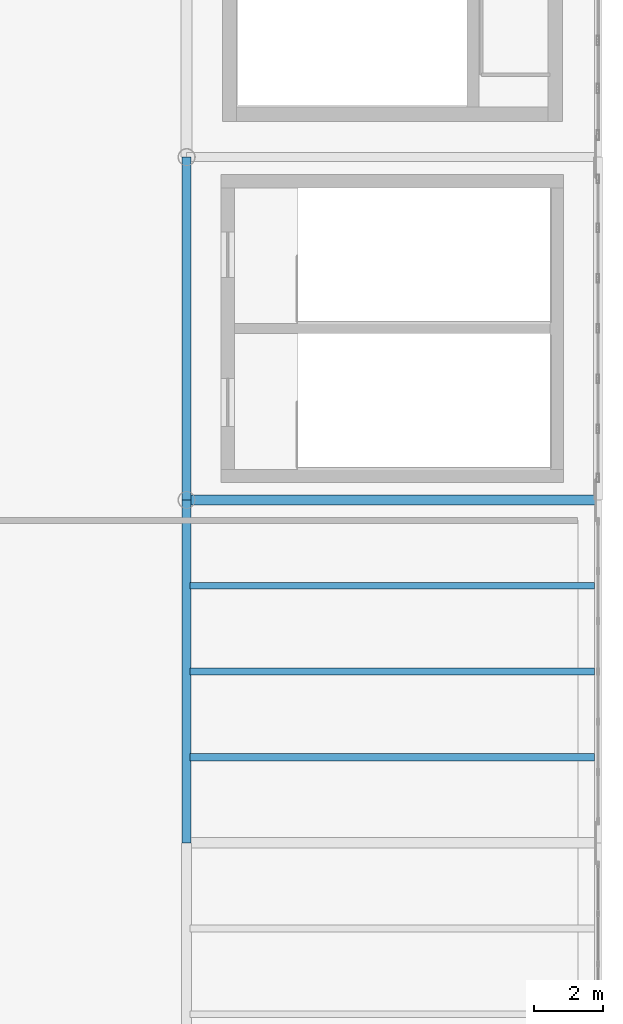
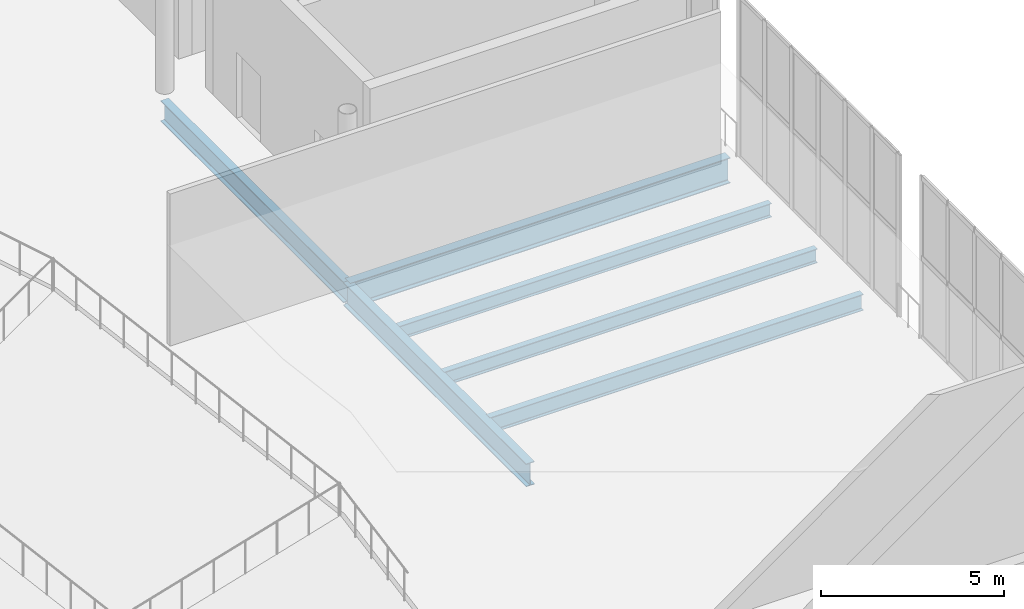
# One storey, part 35 of 74: 6 beams.
"""IFC4 building model written with IfcOpenShell, lengths in metres."""

import ifcopenshell
import ifcopenshell.guid

model = None  # the IFC model being written
_history = None  # IfcOwnerHistory: only IFC2X3 demands one
_inside = {}  # id of a spatial element -> (the spatial element, [elements in it])
_under = {}  # id of a project, library or spatial element -> (it, [spatial elements below it])
_declared = {}  # id of a project -> (the project, [libraries it declares])
_typed = {}  # id of a type object -> (the type object, [elements of that type])
_made_of = {}  # id of a material, layer set ... -> (it, [elements and type objects made of it])


def new_model(schema):
    """Start an empty IFC model of exactly this schema.

    Asked for "IFC4X3", IfcOpenShell would pick the latest addendum, in which some entities
    have other attributes; the version numbers below select the first issue.
    IFC2X3 requires an IfcOwnerHistory on every rooted entity: one is made here for all.
    """
    global model, _history
    if schema == "IFC4X3":
        model = ifcopenshell.file(schema_version=(4, 3, 0, 0))
    else:
        model = ifcopenshell.file(schema=schema)
    _inside.clear()
    _under.clear()
    _declared.clear()
    _typed.clear()
    _made_of.clear()
    _history = None
    if model.schema == "IFC2X3":
        org = make("IfcOrganization", Name="unknown")
        user = make(
            "IfcPersonAndOrganization",
            ThePerson=make("IfcPerson", FamilyName="unknown"),
            TheOrganization=org,
        )
        app = make(
            "IfcApplication",
            ApplicationDeveloper=org,
            Version="unknown",
            ApplicationFullName="unknown",
            ApplicationIdentifier="unknown",
        )
        _history = make(
            "IfcOwnerHistory",
            OwningUser=user,
            OwningApplication=app,
            ChangeAction="ADDED",
            CreationDate=0,
        )
    return model


def make(cls, **values):
    """One entity of the class cls with the attributes given. An attribute that is None is left unset."""
    return model.create_entity(
        cls, **{name: value for name, value in values.items() if value is not None}
    )


def rooted(cls, **values):
    """An entity with a GlobalId (a new one), such as an element, a storey or a relation."""
    return make(cls, GlobalId=ifcopenshell.guid.new(), OwnerHistory=_history, **values)


def si_unit(unit_type, name, prefix=None):
    """IfcSIUnit, for example si_unit("LENGTHUNIT", "METRE", prefix="MILLI")."""
    return make("IfcSIUnit", UnitType=unit_type, Prefix=prefix, Name=name)


def assignment(units):
    """IfcUnitAssignment: the units of a project."""
    return None if units is None else make("IfcUnitAssignment", Units=units)


def point(xyz):
    """IfcCartesianPoint."""
    return None if xyz is None else make("IfcCartesianPoint", Coordinates=xyz)


def direction(xyz):
    """IfcDirection."""
    return None if xyz is None else make("IfcDirection", DirectionRatios=xyz)


def frame(location, z_axis=None, x_axis=None):
    """IfcAxis2Placement3D, a coordinate frame: its origin and axes. An axis left out is left unset."""
    return make(
        "IfcAxis2Placement3D",
        Location=point(location),
        Axis=direction(z_axis),
        RefDirection=direction(x_axis),
    )


def frame_2d(location, x_axis=None):
    """IfcAxis2Placement2D, a coordinate frame in the plane: its origin and x axis."""
    return make(
        "IfcAxis2Placement2D", Location=point(location), RefDirection=direction(x_axis)
    )


def origin():
    """The frame at (0, 0, 0) with its axes left unset."""
    return frame((0.0, 0.0, 0.0))


def origin_2d():
    """The frame at (0, 0) in the plane with its x axis left unset."""
    return frame_2d((0.0, 0.0))


def place(relative_to, where):
    """IfcLocalPlacement: puts the frame where relative to a parent placement (None: the world)."""
    return make(
        "IfcLocalPlacement", PlacementRelTo=relative_to, RelativePlacement=where
    )


def context(
    kind, dimensions, precision=None, world=None, true_north=None, identifier=None
):
    """IfcGeometricRepresentationContext, for example the 3D "Model" context."""
    return make(
        "IfcGeometricRepresentationContext",
        ContextIdentifier=identifier,
        ContextType=kind,
        CoordinateSpaceDimension=dimensions,
        Precision=precision,
        WorldCoordinateSystem=world,
        TrueNorth=true_north,
    )


def subcontext(parent, identifier, kind, view, scale=None):
    """IfcGeometricRepresentationSubContext, for example "Body" below "Model"."""
    return make(
        "IfcGeometricRepresentationSubContext",
        ContextIdentifier=identifier,
        ContextType=kind,
        ParentContext=parent,
        TargetScale=scale,
        TargetView=view,
    )


def project(units=None, contexts=None):
    """IfcProject with its units and contexts."""
    return rooted(
        "IfcProject",
        Name="project",
        RepresentationContexts=contexts,
        UnitsInContext=assignment(units),
    )


def spatial(cls, under=None, at=None, **own):
    """A site, building, storey or space (cls), placed at a placement, below another one or the project."""
    s = rooted(cls, ObjectPlacement=at, **own)
    if under is not None:
        _under.setdefault(under.id(), (under, []))[1].append(s)
    return s


def profile(cls, at=None, kind="AREA", **sizes):
    """A parametric profile (cls). Its sizes go by their IFC names, for example OverallWidth=200.0."""
    return make(cls, ProfileType=kind, Position=at, **sizes)


def i_section(**sizes):
    """IfcIShapeProfileDef."""
    return profile("IfcIShapeProfileDef", **sizes)


def extrude(swept, where, along, depth):
    """IfcExtrudedAreaSolid: the profile swept, set in the frame where, extruded along a direction by depth."""
    return make(
        "IfcExtrudedAreaSolid",
        SweptArea=swept,
        Position=where,
        ExtrudedDirection=direction(along),
        Depth=depth,
    )


def shape(context_of_items, identifier, shape_type, items):
    """IfcShapeRepresentation: the items that make up one representation, for example the "Body"."""
    return make(
        "IfcShapeRepresentation",
        ContextOfItems=context_of_items,
        RepresentationIdentifier=identifier,
        RepresentationType=shape_type,
        Items=items,
    )


def material(Name=None, Category=None):
    """IfcMaterial."""
    return make("IfcMaterial", Name=Name, Category=Category)


def material_profile(
    of_material, cross_section, Name=None, Category=None, Priority=None
):
    """IfcMaterialProfile: a cross section and its material."""
    return make(
        "IfcMaterialProfile",
        Name=Name,
        Material=of_material,
        Profile=cross_section,
        Priority=Priority,
        Category=Category,
    )


def profile_set(profiles, Name=None, composite=None):
    """IfcMaterialProfileSet."""
    return make(
        "IfcMaterialProfileSet",
        Name=Name,
        MaterialProfiles=profiles,
        CompositeProfile=composite,
    )


def made_of(thing, what):
    """Note that an element or type object is made of a material, layer set ...; save() writes the relation."""
    if what is not None:
        _made_of.setdefault(what.id(), (what, []))[1].append(thing)
    return thing


def type_object(cls, material=None, **own):
    """A type object (cls), such as IfcWallType, which elements share."""
    return made_of(rooted(cls, **own), material)


def element(
    cls,
    number,
    at=None,
    inside=None,
    cuts=None,
    type_object=None,
    material=None,
    context=None,
    identifier="Body",
    shape_type=None,
    held_by="IfcProductDefinitionShape",
    body=None,
    shapes=None,
    **own,
):
    """One element of the class cls, such as IfcWall. Its Tag is "e" and its number.

    at: its placement. inside: the storey or other place that contains it. cuts: it is an
    opening in that element (IfcRelVoidsElement). A single representation is given by context,
    identifier, shape_type and body (its items); several are given by shapes. held_by: the class
    of the entity that holds the representations. save() writes the other relations.
    """
    e = rooted(cls, Tag="e%d" % number, ObjectPlacement=at, **own)
    if body is not None:
        shapes = [shape(context, identifier, shape_type, body)]
    if shapes is not None:
        e.Representation = make(held_by, Representations=shapes)
    if inside is not None:
        _inside.setdefault(inside.id(), (inside, []))[1].append(e)
    if cuts is not None:
        rooted(
            "IfcRelVoidsElement", RelatingBuildingElement=cuts, RelatedOpeningElement=e
        )
    if type_object is not None:
        _typed.setdefault(type_object.id(), (type_object, []))[1].append(e)
    return made_of(e, material)


def aggregate(whole, parts):
    """IfcRelAggregates: a whole, such as a stair, and the parts it consists of."""
    return rooted("IfcRelAggregates", RelatingObject=whole, RelatedObjects=parts)


def save(model, path):
    """Write the relations noted so far, then the file.

    IfcRelAggregates (storeys below a building ...), IfcRelContainedInSpatialStructure (elements
    in a storey), IfcRelDefinesByType, IfcRelAssociatesMaterial and IfcRelDeclares: one each for
    every whole, place, type object, material and project.
    """
    for whole, parts in _under.values():
        aggregate(whole, parts)
    for where, things in _inside.values():
        rooted(
            "IfcRelContainedInSpatialStructure",
            RelatedElements=things,
            RelatingStructure=where,
        )
    for kind, things in _typed.values():
        rooted("IfcRelDefinesByType", RelatedObjects=things, RelatingType=kind)
    for what, things in _made_of.values():
        rooted("IfcRelAssociatesMaterial", RelatedObjects=things, RelatingMaterial=what)
    for by, libraries in _declared.values():
        rooted("IfcRelDeclares", RelatingContext=by, RelatedDefinitions=libraries)
    model.write(path)


model = new_model("IFC4")

# Units and contexts
model_context = context("Model", 3, precision=1e-05, world=origin(), true_north=direction((0.0, 1.0)))
body_context = subcontext(model_context, "Body", "Model", "MODEL_VIEW")
ifc_project = project(units=[si_unit("LENGTHUNIT", "METRE"), si_unit("AREAUNIT", "SQUARE_METRE"), si_unit("VOLUMEUNIT", "CUBIC_METRE"), si_unit("PLANEANGLEUNIT", "RADIAN"), si_unit("MASSUNIT", "GRAM", prefix="KILO")], contexts=[model_context])

# Site, building, storey
site_placement = place(None, origin())
site = spatial("IfcSite", under=ifc_project, at=site_placement, CompositionType="ELEMENT")
building_placement = place(site_placement, origin())
building = spatial("IfcBuilding", under=site, at=building_placement, Name="Brinegate Civic Arena", CompositionType="ELEMENT")
storey_placement = place(building_placement, frame((0.0, 0.0, 19.199951171875)))
storey = spatial("IfcBuildingStorey", under=building, at=storey_placement, Name="L04", CompositionType="ELEMENT", Elevation=19.199951171875)

# Beams
ifc_material = material(Name="Steel S355", Category="steel")
ifc_material_profile_1 = material_profile(ifc_material, i_section(OverallWidth=0.256103515625, OverallDepth=0.693115234375, WebThickness=0.014892578125, FlangeThickness=0.02392578125, FilletRadius=0.01806640625, at=origin_2d()), Name="W690X170")
ifc_profile_set_1 = profile_set([ifc_material_profile_1], Name="Steel S355")
beam_type_1 = type_object("IfcBeamType", Name="GIRDER-W690X170", PredefinedType="BEAM", material=ifc_profile_set_1)
beam_1_placement = place(storey_placement, frame((156.0, 72.0, -0.68603515625), z_axis=(0.0, 1.0, 0.0), x_axis=(-1.0, 0.0, 0.0)))
element("IfcBeam", 1, at=beam_1_placement, inside=storey, type_object=beam_type_1, Name="Floor Girder BM-L04-GY-13-07", PredefinedType="BEAM", context=body_context, shape_type="SweptSolid", body=[
    extrude(i_section(OverallWidth=0.256103515625, OverallDepth=0.693115234375, WebThickness=0.014892578125, FlangeThickness=0.02392578125, FilletRadius=0.01806640625, at=origin_2d()), origin(), (0.0, 0.0, 1.0), 10.0),
])
ifc_material_profile_2 = material_profile(ifc_material, i_section(OverallWidth=0.26806640625, OverallDepth=0.77001953125, WebThickness=0.01611328125, FlangeThickness=0.02490234375, FilletRadius=0.02001953125, at=origin_2d()), Name="W760X196")
ifc_profile_set_2 = profile_set([ifc_material_profile_2], Name="Steel S355")
beam_type_2 = type_object("IfcBeamType", Name="GIRDER-W760X196", PredefinedType="BEAM", material=ifc_profile_set_2)
beam_2_placement = place(storey_placement, frame((156.0, 62.0, -0.724853515625), z_axis=(0.0, 1.0, 0.0), x_axis=(-1.0, 0.0, 0.0)))
element("IfcBeam", 2, at=beam_2_placement, inside=storey, type_object=beam_type_2, Name="Floor Girder BM-L04-GY-13-06", PredefinedType="BEAM", context=body_context, shape_type="SweptSolid", body=[
    extrude(i_section(OverallWidth=0.26806640625, OverallDepth=0.77001953125, WebThickness=0.01611328125, FlangeThickness=0.02490234375, FilletRadius=0.02001953125, at=origin_2d()), origin(), (0.0, 0.0, 1.0), 10.0),
])
ifc_material_profile_3 = material_profile(ifc_material, i_section(OverallWidth=0.2939453125, OverallDepth=0.85107421875, WebThickness=0.01611328125, FlangeThickness=0.027099609375, FilletRadius=0.02197265625, at=origin_2d()), Name="W840X226")
ifc_profile_set_3 = profile_set([ifc_material_profile_3], Name="Steel S355")
beam_type_3 = type_object("IfcBeamType", Name="GIRDER-W840X226", PredefinedType="BEAM", material=ifc_profile_set_3)
beam_3_placement = place(storey_placement, frame((156.0, 72.0, -0.764892578125), z_axis=(1.0, 0.0, 0.0), x_axis=(0.0, 1.0, 0.0)))
element("IfcBeam", 3, at=beam_3_placement, inside=storey, type_object=beam_type_3, Name="Floor Girder BM-L04-GX-13-07", PredefinedType="BEAM", context=body_context, shape_type="SweptSolid", body=[
    extrude(i_section(OverallWidth=0.2939453125, OverallDepth=0.85107421875, WebThickness=0.01611328125, FlangeThickness=0.027099609375, FilletRadius=0.02197265625, at=origin_2d()), origin(), (0.0, 0.0, 1.0), 12.0),
])
ifc_material_profile_4 = material_profile(ifc_material, i_section(OverallWidth=0.195068359375, OverallDepth=0.472900390625, WebThickness=0.011962890625, FlangeThickness=0.02197265625, FilletRadius=0.014892578125, at=origin_2d()), Name="W460X113")
ifc_profile_set_4 = profile_set([ifc_material_profile_4], Name="Steel S355")
beam_type_4 = type_object("IfcBeamType", Name="JOIST-W460X113", PredefinedType="JOIST", material=ifc_profile_set_4)
beam_4_placement = place(storey_placement, frame((156.10595703125, 67.0, -0.575927734375), z_axis=(1.0, 0.0, 0.0), x_axis=(0.0, 1.0, 0.0)))
element("IfcBeam", 4, at=beam_4_placement, inside=storey, type_object=beam_type_4, Name="Secondary Joist BM-L04-JX-13-06-2", PredefinedType="JOIST", context=body_context, shape_type="SweptSolid", body=[
    extrude(i_section(OverallWidth=0.195068359375, OverallDepth=0.472900390625, WebThickness=0.011962890625, FlangeThickness=0.02197265625, FilletRadius=0.014892578125, at=origin_2d()), origin(), (0.0, 0.0, 1.0), 11.7880859375),
])
ifc_material_profile_5 = material_profile(ifc_material, i_section(OverallWidth=0.19091796875, OverallDepth=0.4599609375, WebThickness=0.010009765625, FlangeThickness=0.01611328125, FilletRadius=0.014892578125, at=origin_2d()), Name="W460X82")
ifc_profile_set_5 = profile_set([ifc_material_profile_5], Name="Steel S355")
beam_type_5 = type_object("IfcBeamType", Name="JOIST-W460X82", PredefinedType="JOIST", material=ifc_profile_set_5)
beam_5_placement = place(storey_placement, frame((156.10595703125, 69.5, -0.570068359375), z_axis=(1.0, 0.0, 0.0), x_axis=(0.0, 1.0, 0.0)))
element("IfcBeam", 5, at=beam_5_placement, inside=storey, type_object=beam_type_5, Name="Secondary Joist BM-L04-JX-13-06-3", PredefinedType="JOIST", context=body_context, shape_type="SweptSolid", body=[
    extrude(i_section(OverallWidth=0.19091796875, OverallDepth=0.4599609375, WebThickness=0.010009765625, FlangeThickness=0.01611328125, FilletRadius=0.014892578125, at=origin_2d()), origin(), (0.0, 0.0, 1.0), 11.7880859375),
])
ifc_material_profile_6 = material_profile(ifc_material, i_section(OverallWidth=0.2109375, OverallDepth=0.5390625, WebThickness=0.011962890625, FlangeThickness=0.01904296875, FilletRadius=0.01611328125, at=origin_2d()), Name="W530X109")
ifc_profile_set_6 = profile_set([ifc_material_profile_6], Name="Steel S355")
beam_type_6 = type_object("IfcBeamType", Name="JOIST-W530X109", PredefinedType="JOIST", material=ifc_profile_set_6)
beam_6_placement = place(storey_placement, frame((156.10595703125, 64.5, -0.60888671875), z_axis=(1.0, 0.0, 0.0), x_axis=(0.0, 1.0, 0.0)))
element("IfcBeam", 6, at=beam_6_placement, inside=storey, type_object=beam_type_6, Name="Secondary Joist BM-L04-JX-13-06-1", PredefinedType="JOIST", context=body_context, shape_type="SweptSolid", body=[
    extrude(i_section(OverallWidth=0.2109375, OverallDepth=0.5390625, WebThickness=0.011962890625, FlangeThickness=0.01904296875, FilletRadius=0.01611328125, at=origin_2d()), origin(), (0.0, 0.0, 1.0), 11.7880859375),
])

save(model, "model.ifc")
